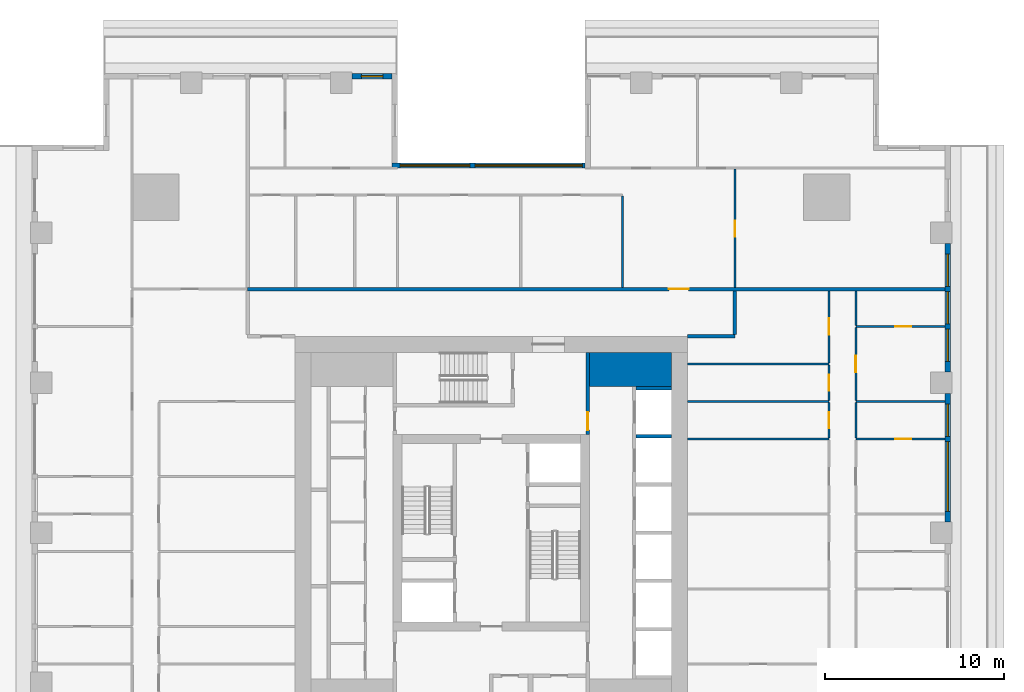
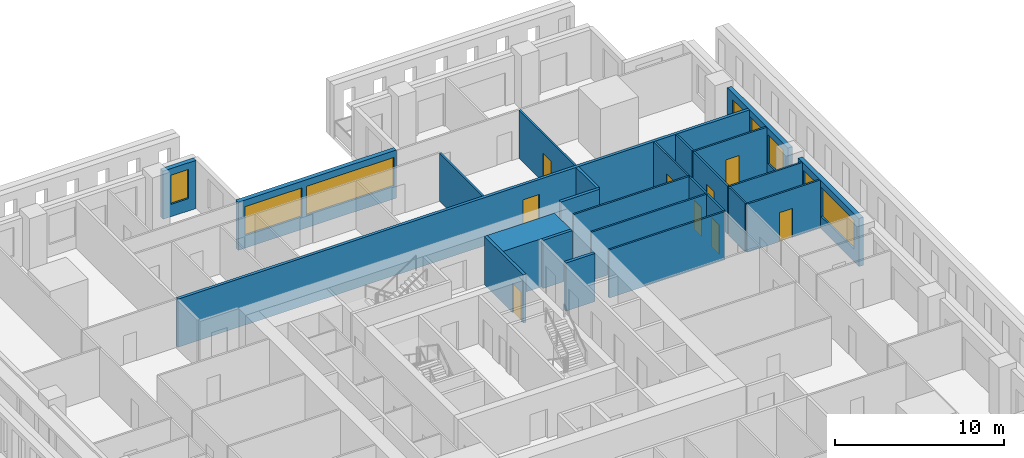
# One storey, part 8 of 15: 25 walls, 9 doors, 8 windows, 17 openings.
"""IFC4 building model written with IfcOpenShell, lengths in metres."""

import ifcopenshell
import ifcopenshell.guid

model = None  # the IFC model being written
_history = None  # IfcOwnerHistory: only IFC2X3 demands one
_inside = {}  # id of a spatial element -> (the spatial element, [elements in it])
_under = {}  # id of a project, library or spatial element -> (it, [spatial elements below it])
_declared = {}  # id of a project -> (the project, [libraries it declares])
_typed = {}  # id of a type object -> (the type object, [elements of that type])
_made_of = {}  # id of a material, layer set ... -> (it, [elements and type objects made of it])


def new_model(schema):
    """Start an empty IFC model of exactly this schema.

    Asked for "IFC4X3", IfcOpenShell would pick the latest addendum, in which some entities
    have other attributes; the version numbers below select the first issue.
    IFC2X3 requires an IfcOwnerHistory on every rooted entity: one is made here for all.
    """
    global model, _history
    if schema == "IFC4X3":
        model = ifcopenshell.file(schema_version=(4, 3, 0, 0))
    else:
        model = ifcopenshell.file(schema=schema)
    _inside.clear()
    _under.clear()
    _declared.clear()
    _typed.clear()
    _made_of.clear()
    _history = None
    if model.schema == "IFC2X3":
        org = make("IfcOrganization", Name="unknown")
        user = make(
            "IfcPersonAndOrganization",
            ThePerson=make("IfcPerson", FamilyName="unknown"),
            TheOrganization=org,
        )
        app = make(
            "IfcApplication",
            ApplicationDeveloper=org,
            Version="unknown",
            ApplicationFullName="unknown",
            ApplicationIdentifier="unknown",
        )
        _history = make(
            "IfcOwnerHistory",
            OwningUser=user,
            OwningApplication=app,
            ChangeAction="ADDED",
            CreationDate=0,
        )
    return model


def make(cls, **values):
    """One entity of the class cls with the attributes given. An attribute that is None is left unset."""
    return model.create_entity(
        cls, **{name: value for name, value in values.items() if value is not None}
    )


def rooted(cls, **values):
    """An entity with a GlobalId (a new one), such as an element, a storey or a relation."""
    return make(cls, GlobalId=ifcopenshell.guid.new(), OwnerHistory=_history, **values)


def si_unit(unit_type, name, prefix=None):
    """IfcSIUnit, for example si_unit("LENGTHUNIT", "METRE", prefix="MILLI")."""
    return make("IfcSIUnit", UnitType=unit_type, Prefix=prefix, Name=name)


def assignment(units):
    """IfcUnitAssignment: the units of a project."""
    return None if units is None else make("IfcUnitAssignment", Units=units)


def point(xyz):
    """IfcCartesianPoint."""
    return None if xyz is None else make("IfcCartesianPoint", Coordinates=xyz)


def direction(xyz):
    """IfcDirection."""
    return None if xyz is None else make("IfcDirection", DirectionRatios=xyz)


def frame(location, z_axis=None, x_axis=None):
    """IfcAxis2Placement3D, a coordinate frame: its origin and axes. An axis left out is left unset."""
    return make(
        "IfcAxis2Placement3D",
        Location=point(location),
        Axis=direction(z_axis),
        RefDirection=direction(x_axis),
    )


def frame_2d(location, x_axis=None):
    """IfcAxis2Placement2D, a coordinate frame in the plane: its origin and x axis."""
    return make(
        "IfcAxis2Placement2D", Location=point(location), RefDirection=direction(x_axis)
    )


def origin():
    """The frame at (0, 0, 0) with its axes left unset."""
    return frame((0.0, 0.0, 0.0))


def place(relative_to, where):
    """IfcLocalPlacement: puts the frame where relative to a parent placement (None: the world)."""
    return make(
        "IfcLocalPlacement", PlacementRelTo=relative_to, RelativePlacement=where
    )


def context(
    kind, dimensions, precision=None, world=None, true_north=None, identifier=None
):
    """IfcGeometricRepresentationContext, for example the 3D "Model" context."""
    return make(
        "IfcGeometricRepresentationContext",
        ContextIdentifier=identifier,
        ContextType=kind,
        CoordinateSpaceDimension=dimensions,
        Precision=precision,
        WorldCoordinateSystem=world,
        TrueNorth=true_north,
    )


def subcontext(parent, identifier, kind, view, scale=None):
    """IfcGeometricRepresentationSubContext, for example "Body" below "Model"."""
    return make(
        "IfcGeometricRepresentationSubContext",
        ContextIdentifier=identifier,
        ContextType=kind,
        ParentContext=parent,
        TargetScale=scale,
        TargetView=view,
    )


def project(units=None, contexts=None):
    """IfcProject with its units and contexts."""
    return rooted(
        "IfcProject",
        Name="project",
        RepresentationContexts=contexts,
        UnitsInContext=assignment(units),
    )


def spatial(cls, under=None, at=None, **own):
    """A site, building, storey or space (cls), placed at a placement, below another one or the project."""
    s = rooted(cls, ObjectPlacement=at, **own)
    if under is not None:
        _under.setdefault(under.id(), (under, []))[1].append(s)
    return s


def profile(cls, at=None, kind="AREA", **sizes):
    """A parametric profile (cls). Its sizes go by their IFC names, for example OverallWidth=200.0."""
    return make(cls, ProfileType=kind, Position=at, **sizes)


def rectangle(**sizes):
    """IfcRectangleProfileDef."""
    return profile("IfcRectangleProfileDef", **sizes)


def extrude(swept, where, along, depth):
    """IfcExtrudedAreaSolid: the profile swept, set in the frame where, extruded along a direction by depth."""
    return make(
        "IfcExtrudedAreaSolid",
        SweptArea=swept,
        Position=where,
        ExtrudedDirection=direction(along),
        Depth=depth,
    )


def shape(context_of_items, identifier, shape_type, items):
    """IfcShapeRepresentation: the items that make up one representation, for example the "Body"."""
    return make(
        "IfcShapeRepresentation",
        ContextOfItems=context_of_items,
        RepresentationIdentifier=identifier,
        RepresentationType=shape_type,
        Items=items,
    )


def material(Name=None, Category=None):
    """IfcMaterial."""
    return make("IfcMaterial", Name=Name, Category=Category)


def layer(
    of_material, thickness, ventilated=None, Name=None, Category=None, Priority=None
):
    """IfcMaterialLayer: one layer of a wall or slab, of a material (None: an air gap)."""
    return make(
        "IfcMaterialLayer",
        Material=of_material,
        LayerThickness=thickness,
        IsVentilated=ventilated,
        Name=Name,
        Category=Category,
        Priority=Priority,
    )


def layer_set(layers, Name=None):
    """IfcMaterialLayerSet."""
    return make("IfcMaterialLayerSet", MaterialLayers=layers, LayerSetName=Name)


def made_of(thing, what):
    """Note that an element or type object is made of a material, layer set ...; save() writes the relation."""
    if what is not None:
        _made_of.setdefault(what.id(), (what, []))[1].append(thing)
    return thing


def type_object(cls, material=None, **own):
    """A type object (cls), such as IfcWallType, which elements share."""
    return made_of(rooted(cls, **own), material)


def element(
    cls,
    number,
    at=None,
    inside=None,
    cuts=None,
    type_object=None,
    material=None,
    context=None,
    identifier="Body",
    shape_type=None,
    held_by="IfcProductDefinitionShape",
    body=None,
    shapes=None,
    **own,
):
    """One element of the class cls, such as IfcWall. Its Tag is "e" and its number.

    at: its placement. inside: the storey or other place that contains it. cuts: it is an
    opening in that element (IfcRelVoidsElement). A single representation is given by context,
    identifier, shape_type and body (its items); several are given by shapes. held_by: the class
    of the entity that holds the representations. save() writes the other relations.
    """
    e = rooted(cls, Tag="e%d" % number, ObjectPlacement=at, **own)
    if body is not None:
        shapes = [shape(context, identifier, shape_type, body)]
    if shapes is not None:
        e.Representation = make(held_by, Representations=shapes)
    if inside is not None:
        _inside.setdefault(inside.id(), (inside, []))[1].append(e)
    if cuts is not None:
        rooted(
            "IfcRelVoidsElement", RelatingBuildingElement=cuts, RelatedOpeningElement=e
        )
    if type_object is not None:
        _typed.setdefault(type_object.id(), (type_object, []))[1].append(e)
    return made_of(e, material)


def fill(opening, filler):
    """IfcRelFillsElement: the door or window that sits in an opening."""
    return rooted(
        "IfcRelFillsElement",
        RelatingOpeningElement=opening,
        RelatedBuildingElement=filler,
    )


def aggregate(whole, parts):
    """IfcRelAggregates: a whole, such as a stair, and the parts it consists of."""
    return rooted("IfcRelAggregates", RelatingObject=whole, RelatedObjects=parts)


def save(model, path):
    """Write the relations noted so far, then the file.

    IfcRelAggregates (storeys below a building ...), IfcRelContainedInSpatialStructure (elements
    in a storey), IfcRelDefinesByType, IfcRelAssociatesMaterial and IfcRelDeclares: one each for
    every whole, place, type object, material and project.
    """
    for whole, parts in _under.values():
        aggregate(whole, parts)
    for where, things in _inside.values():
        rooted(
            "IfcRelContainedInSpatialStructure",
            RelatedElements=things,
            RelatingStructure=where,
        )
    for kind, things in _typed.values():
        rooted("IfcRelDefinesByType", RelatedObjects=things, RelatingType=kind)
    for what, things in _made_of.values():
        rooted("IfcRelAssociatesMaterial", RelatedObjects=things, RelatingMaterial=what)
    for by, libraries in _declared.values():
        rooted("IfcRelDeclares", RelatingContext=by, RelatedDefinitions=libraries)
    model.write(path)


model = new_model("IFC4")

# Units and contexts
model_context = context("Model", 3, precision=1e-05, world=origin(), true_north=direction((0.0, 1.0)))
body_context = subcontext(model_context, "Body", "Model", "MODEL_VIEW")
ifc_project = project(units=[si_unit("LENGTHUNIT", "METRE"), si_unit("AREAUNIT", "SQUARE_METRE"), si_unit("VOLUMEUNIT", "CUBIC_METRE"), si_unit("PLANEANGLEUNIT", "RADIAN"), si_unit("MASSUNIT", "GRAM", prefix="KILO")], contexts=[model_context])

# Site, building, storey
site_placement = place(None, origin())
site = spatial("IfcSite", under=ifc_project, at=site_placement, CompositionType="ELEMENT")
building_placement = place(site_placement, origin())
building = spatial("IfcBuilding", under=site, at=building_placement, Name="Khepri Terraces", CompositionType="ELEMENT")
storey_placement = place(building_placement, frame((0.0, 0.0, 145.5)))
storey = spatial("IfcBuildingStorey", under=building, at=storey_placement, Name="L34", CompositionType="ELEMENT", Elevation=145.5)

# Walls
ifc_material_1 = material(Name="Concrete C60/75", Category="concrete")
ifc_layer_1 = layer(ifc_material_1, 1.89990234375, Name="Concrete C60/75", Category="concrete")
ifc_layer_set_1 = layer_set([ifc_layer_1], Name="Concrete C60/75")
wall_type_1 = type_object("IfcWallType", Name="Core wall 1900 C60/75", PredefinedType="SHEAR", material=ifc_layer_set_1)
wall_1_placement = place(storey_placement, frame((5.5, 9.14990234375, 0.0), z_axis=(0.0, 0.0, 1.0), x_axis=(1.0, 0.0, 0.0)))
element("IfcWall", 1, at=wall_1_placement, inside=storey, type_object=wall_type_1, Name="Core wall PR04 L34", PredefinedType="SHEAR", context=body_context, shape_type="SweptSolid", body=[
    extrude(rectangle(XDim=4.60009765625, YDim=1.89990234375, at=frame_2d((2.300048828125, 0.0))), origin(), (0.0, 0.0, 1.0), 3.47998046875),
])
ifc_layer_2 = layer(ifc_material_1, 0.199951171875, Name="Concrete C60/75", Category="concrete")
ifc_layer_set_2 = layer_set([ifc_layer_2], Name="Concrete C60/75")
wall_type_2 = type_object("IfcWallType", Name="Core wall 200 C60/75", PredefinedType="SHEAR", material=ifc_layer_set_2)
for number, where, z_axis, x_axis, name in (
    (2, (8.10009765625, 5.39990234375, 0.0), (0.0, 0.0, 1.0), (1.0, 0.0, 0.0), "Core wall SH14 L34"),
    (3, (8.10009765625, 8.10009765625, 0.0), (0.0, 0.0, 1.0), (1.0, 0.0, 0.0), "Core wall SH15 L34"),
):
    element("IfcWall", number, at=place(storey_placement, frame(where, z_axis=z_axis, x_axis=x_axis)), inside=storey, type_object=wall_type_2, Name=name, PredefinedType="SHEAR", context=body_context, shape_type="SweptSolid", body=[
        extrude(rectangle(XDim=2.0, YDim=0.199951171875, at=frame_2d((1.0, 0.0))), origin(), (0.0, 0.0, 1.0), 3.47998046875),
    ])

# Wall, opening, door
ifc_material_2 = material(Name="Fire-rated gypsum board partition")
ifc_layer_3 = layer(ifc_material_2, 0.199951171875, Name="Fire-rated gypsum board partition")
ifc_layer_set_3 = layer_set([ifc_layer_3], Name="Fire-rated gypsum board partition")
wall_type_3 = type_object("IfcWallType", Name="WL-CORE-PART-200", PredefinedType="PARTITIONING", material=ifc_layer_set_3)
wall_2_placement = place(storey_placement, frame((5.39990234375, 5.5, 0.0), z_axis=(0.0, 0.0, 1.0), x_axis=(0.0, 1.0, 0.0)))
wall_2 = element("IfcWall", 4, at=wall_2_placement, inside=storey, type_object=wall_type_3, Name="Core partition PT13 L34", PredefinedType="PARTITIONING", context=body_context, shape_type="SweptSolid", body=[
    extrude(rectangle(XDim=4.60009765625, YDim=0.199951171875, at=frame_2d((2.300048828125, 0.0))), origin(), (0.0, 0.0, 1.0), 3.47998046875),
])
opening_1_placement = place(wall_2_placement, frame((0.25, 0.0, 0.0)))
opening_1 = element("IfcOpeningElement", 5, at=opening_1_placement, cuts=wall_2, Name="Opening L34-C17", PredefinedType="OPENING", context=body_context, shape_type="SweptSolid", body=[
    extrude(rectangle(XDim=1.0, YDim=2.10009765625, at=frame_2d((0.5, 1.050048828125))), frame((0.0, 0.10986328125, 0.0), z_axis=(0.0, -1.0, 0.0), x_axis=(1.0, 0.0, 0.0)), (0.0, 0.0, 1.0), 0.219970703125),
])
ifc_material_3 = material(Name="Painted steel", Category="steel")
door_type_1 = type_object("IfcDoorType", Name="DR-CORE-LOBBY-1000", OperationType="NOTDEFINED", PredefinedType="DOOR", material=ifc_material_3)
door_1_placement = place(opening_1_placement, origin())
door_1 = element("IfcDoor", 6, at=door_1_placement, inside=storey, type_object=door_type_1, Name="Lobby door L34-C17", OperationType="SINGLE_SWING_LEFT", OverallHeight=2.10009765625, OverallWidth=1.0, PredefinedType="DOOR", context=body_context, shape_type="SweptSolid", body=[
    extrude(rectangle(XDim=1.0, YDim=2.10009765625, at=frame_2d((0.5, 1.050048828125))), frame((0.0, 0.02490234375, 0.0), z_axis=(0.0, -1.0, 0.0), x_axis=(1.0, 0.0, 0.0)), (0.0, 0.0, 1.0), 0.050048828125),
])
fill(opening_1, door_1)

# Walls
ifc_material_4 = material(Name="Fire-rated gypsum plasterboard partition, mineral wool")
ifc_layer_4 = layer(ifc_material_4, 0.199951171875, Name="Fire-rated gypsum plasterboard partition, mineral wool")
ifc_layer_set_4 = layer_set([ifc_layer_4], Name="Fire-rated gypsum plasterboard partition, mineral wool")
wall_type_4 = type_object("IfcWallType", Name="WL-CORR-200", PredefinedType="PARTITIONING", material=ifc_layer_set_4)
wall_3_placement = place(storey_placement, frame((11.0, 11.0, 0.0), z_axis=(0.0, 0.0, 1.0), x_axis=(1.0, 0.0, 0.0)))
element("IfcWall", 7, at=wall_3_placement, inside=storey, type_object=wall_type_4, Name="Partition P-075 L34", PredefinedType="PARTITIONING", context=body_context, shape_type="SweptSolid", body=[
    extrude(rectangle(XDim=2.64990234375, YDim=0.199951171875, at=frame_2d((1.324951171875, 0.0))), origin(), (0.0, 0.0, 1.0), 3.47998046875),
])
wall_4_placement = place(storey_placement, frame((13.64990234375, 11.10009765625, 0.0), z_axis=(0.0, 0.0, 1.0), x_axis=(0.0, 1.0, 0.0)))
element("IfcWall", 8, at=wall_4_placement, inside=storey, type_object=wall_type_4, Name="Partition P-077 L34", PredefinedType="PARTITIONING", context=body_context, shape_type="SweptSolid", body=[
    extrude(rectangle(XDim=2.449951171875, YDim=0.199951171875, at=frame_2d((1.22509765625, 0.0))), origin(), (0.0, 0.0, 1.0), 3.47998046875),
])

# Wall, opening, door
wall_5_placement = place(storey_placement, frame((-13.64990234375, 13.64990234375, 0.0), z_axis=(0.0, 0.0, 1.0), x_axis=(1.0, 0.0, 0.0)))
wall_5 = element("IfcWall", 9, at=wall_5_placement, inside=storey, type_object=wall_type_4, Name="Partition P-083 L34", PredefinedType="PARTITIONING", context=body_context, shape_type="SweptSolid", body=[
    extrude(rectangle(XDim=39.06982421875, YDim=0.199951171875, at=frame_2d((19.534912109375, 0.0))), origin(), (0.0, 0.0, 1.0), 3.47998046875),
])
opening_2_placement = place(wall_5_placement, frame((23.60009765625, 0.0, 0.0)))
opening_2 = element("IfcOpeningElement", 10, at=opening_2_placement, cuts=wall_5, Name="Opening D1", PredefinedType="OPENING", context=body_context, shape_type="SweptSolid", body=[
    extrude(rectangle(XDim=1.10009765625, YDim=2.39990234375, at=frame_2d((0.550048828125, 1.199951171875))), frame((0.0, 0.10986328125, 0.0), z_axis=(0.0, -1.0, 0.0), x_axis=(1.0, 0.0, 0.0)), (0.0, 0.0, 1.0), 0.219970703125),
])
ifc_material_5 = material(Name="Solid-core timber door leaf, flat entrance door", Category="wood")
door_type_2 = type_object("IfcDoorType", Name="DR-ENT-1100", OperationType="NOTDEFINED", PredefinedType="DOOR", material=ifc_material_5)
door_2_placement = place(opening_2_placement, origin())
door_2 = element("IfcDoor", 11, at=door_2_placement, inside=storey, type_object=door_type_2, Name="Flat C1 entrance door", OperationType="SINGLE_SWING_RIGHT", OverallHeight=2.39990234375, OverallWidth=1.10009765625, PredefinedType="DOOR", context=body_context, shape_type="SweptSolid", body=[
    extrude(rectangle(XDim=1.10009765625, YDim=2.39990234375, at=frame_2d((0.550048828125, 1.199951171875))), frame((0.0, 0.02490234375, 0.0), z_axis=(0.0, -1.0, 0.0), x_axis=(1.0, 0.0, 0.0)), (0.0, 0.0, 1.0), 0.050048828125),
])
fill(opening_2, door_2)

# Wall, openings, windows
ifc_material_6 = material(Name="Precast concrete C50/60 warm stone", Category="masonry")
ifc_layer_5 = layer(ifc_material_6, 0.300048828125, Name="Precast concrete C50/60 warm stone", Category="masonry")
ifc_layer_set_5 = layer_set([ifc_layer_5], Name="Precast concrete C50/60 warm stone")
wall_type_5 = type_object("IfcWallType", Name="WL-EXT-PRECAST-300", PredefinedType="STANDARD", material=ifc_layer_set_5)
wall_6_placement = place(storey_placement, frame((25.570068359375, 0.60009765625, 0.0), z_axis=(0.0, 0.0, 1.0), x_axis=(0.0, 1.0, 0.0)))
wall_6 = element("IfcWall", 12, at=wall_6_placement, inside=storey, type_object=wall_type_5, Name="External wall L34 E", PredefinedType="STANDARD", context=body_context, shape_type="SweptSolid", body=[
    extrude(rectangle(XDim=7.199951171875, YDim=0.300048828125, at=frame_2d((3.60009765625, 0.0))), origin(), (0.0, 0.0, 1.0), 3.47998046875),
])
opening_3_placement = place(wall_6_placement, frame((0.60009765625, 0.0, 0.89990234375)))
opening_3 = element("IfcOpeningElement", 13, at=opening_3_placement, cuts=wall_6, Name="Opening W2", PredefinedType="OPENING", context=body_context, shape_type="SweptSolid", body=[
    extrude(rectangle(XDim=3.89990234375, YDim=2.10009765625, at=frame_2d((1.949951171875, 1.050048828125))), frame((0.0, 0.16015625, 0.0), z_axis=(0.0, -1.0, 0.0), x_axis=(1.0, 0.0, 0.0)), (0.0, 0.0, 1.0), 0.320068359375),
])
opening_4_placement = place(wall_6_placement, frame((4.800048828125, 0.0, 0.89990234375)))
opening_4 = element("IfcOpeningElement", 14, at=opening_4_placement, cuts=wall_6, Name="Opening W1", PredefinedType="OPENING", context=body_context, shape_type="SweptSolid", body=[
    extrude(rectangle(XDim=1.800048828125, YDim=2.10009765625, at=frame_2d((0.89990234375, 1.050048828125))), frame((0.0, 0.16015625, 0.0), z_axis=(0.0, -1.0, 0.0), x_axis=(1.0, 0.0, 0.0)), (0.0, 0.0, 1.0), 0.320068359375),
])
ifc_material_7 = material(Name="Clear glass", Category="glass")
window_type_1 = type_object("IfcWindowType", Name="WIN-RES-1800x2100", PartitioningType="SINGLE_PANEL", PredefinedType="WINDOW", material=ifc_material_7)
window_1_placement = place(opening_4_placement, origin())
window_1 = element("IfcWindow", 15, at=window_1_placement, inside=storey, type_object=window_type_1, Name="Window L34 E", OverallHeight=2.10009765625, OverallWidth=1.800048828125, PartitioningType="SINGLE_PANEL", PredefinedType="WINDOW", context=body_context, shape_type="SweptSolid", body=[
    extrude(rectangle(XDim=1.800048828125, YDim=2.10009765625, at=frame_2d((0.89990234375, 1.050048828125))), frame((0.0, 0.030029296875, 0.0), z_axis=(0.0, -1.0, 0.0), x_axis=(1.0, 0.0, 0.0)), (0.0, 0.0, 1.0), 0.06005859375),
])
fill(opening_4, window_1)
window_type_2 = type_object("IfcWindowType", Name="WIN-RES-3900x2100", PartitioningType="SINGLE_PANEL", PredefinedType="WINDOW", material=ifc_material_7)
window_2_placement = place(opening_3_placement, origin())
window_2 = element("IfcWindow", 16, at=window_2_placement, inside=storey, type_object=window_type_2, Name="Window L34 E", OverallHeight=2.10009765625, OverallWidth=3.89990234375, PartitioningType="SINGLE_PANEL", PredefinedType="WINDOW", context=body_context, shape_type="SweptSolid", body=[
    extrude(rectangle(XDim=3.89990234375, YDim=2.10009765625, at=frame_2d((1.949951171875, 1.050048828125))), frame((0.0, 0.030029296875, 0.0), z_axis=(0.0, -1.0, 0.0), x_axis=(1.0, 0.0, 0.0)), (0.0, 0.0, 1.0), 0.06005859375),
])
fill(opening_3, window_2)

wall_7_placement = place(storey_placement, frame((25.570068359375, 9.0, 0.0), z_axis=(0.0, 0.0, 1.0), x_axis=(0.0, 1.0, 0.0)))
wall_7 = element("IfcWall", 17, at=wall_7_placement, inside=storey, type_object=wall_type_5, Name="External wall L34 E", PredefinedType="STANDARD", context=body_context, shape_type="SweptSolid", body=[
    extrude(rectangle(XDim=7.199951171875, YDim=0.300048828125, at=frame_2d((3.60009765625, 0.0))), origin(), (0.0, 0.0, 1.0), 3.47998046875),
])
opening_5_placement = place(wall_7_placement, frame((0.60009765625, 0.0, 0.89990234375)))
opening_5 = element("IfcOpeningElement", 18, at=opening_5_placement, cuts=wall_7, Name="Opening W1", PredefinedType="OPENING", context=body_context, shape_type="SweptSolid", body=[
    extrude(rectangle(XDim=1.800048828125, YDim=2.10009765625, at=frame_2d((0.89990234375, 1.050048828125))), frame((0.0, 0.16015625, 0.0), z_axis=(0.0, -1.0, 0.0), x_axis=(1.0, 0.0, 0.0)), (0.0, 0.0, 1.0), 0.320068359375),
])
opening_6_placement = place(wall_7_placement, frame((2.699951171875, 0.0, 0.89990234375)))
opening_6 = element("IfcOpeningElement", 19, at=opening_6_placement, cuts=wall_7, Name="Opening W1", PredefinedType="OPENING", context=body_context, shape_type="SweptSolid", body=[
    extrude(rectangle(XDim=1.800048828125, YDim=2.10009765625, at=frame_2d((0.89990234375, 1.050048828125))), frame((0.0, 0.16015625, 0.0), z_axis=(0.0, -1.0, 0.0), x_axis=(1.0, 0.0, 0.0)), (0.0, 0.0, 1.0), 0.320068359375),
])
opening_7_placement = place(wall_7_placement, frame((4.800048828125, 0.0, 0.89990234375)))
opening_7 = element("IfcOpeningElement", 20, at=opening_7_placement, cuts=wall_7, Name="Opening W1", PredefinedType="OPENING", context=body_context, shape_type="SweptSolid", body=[
    extrude(rectangle(XDim=1.800048828125, YDim=2.10009765625, at=frame_2d((0.89990234375, 1.050048828125))), frame((0.0, 0.16015625, 0.0), z_axis=(0.0, -1.0, 0.0), x_axis=(1.0, 0.0, 0.0)), (0.0, 0.0, 1.0), 0.320068359375),
])
window_3_placement = place(opening_5_placement, origin())
window_3 = element("IfcWindow", 21, at=window_3_placement, inside=storey, type_object=window_type_1, Name="Window L34 E", OverallHeight=2.10009765625, OverallWidth=1.800048828125, PartitioningType="SINGLE_PANEL", PredefinedType="WINDOW", context=body_context, shape_type="SweptSolid", body=[
    extrude(rectangle(XDim=1.800048828125, YDim=2.10009765625, at=frame_2d((0.89990234375, 1.050048828125))), frame((0.0, 0.030029296875, 0.0), z_axis=(0.0, -1.0, 0.0), x_axis=(1.0, 0.0, 0.0)), (0.0, 0.0, 1.0), 0.06005859375),
])
fill(opening_5, window_3)
window_4_placement = place(opening_6_placement, origin())
window_4 = element("IfcWindow", 22, at=window_4_placement, inside=storey, type_object=window_type_1, Name="Window L34 E", OverallHeight=2.10009765625, OverallWidth=1.800048828125, PartitioningType="SINGLE_PANEL", PredefinedType="WINDOW", context=body_context, shape_type="SweptSolid", body=[
    extrude(rectangle(XDim=1.800048828125, YDim=2.10009765625, at=frame_2d((0.89990234375, 1.050048828125))), frame((0.0, 0.030029296875, 0.0), z_axis=(0.0, -1.0, 0.0), x_axis=(1.0, 0.0, 0.0)), (0.0, 0.0, 1.0), 0.06005859375),
])
fill(opening_6, window_4)
window_5_placement = place(opening_7_placement, origin())
window_5 = element("IfcWindow", 23, at=window_5_placement, inside=storey, type_object=window_type_1, Name="Window L34 E", OverallHeight=2.10009765625, OverallWidth=1.800048828125, PartitioningType="SINGLE_PANEL", PredefinedType="WINDOW", context=body_context, shape_type="SweptSolid", body=[
    extrude(rectangle(XDim=1.800048828125, YDim=2.10009765625, at=frame_2d((0.89990234375, 1.050048828125))), frame((0.0, 0.030029296875, 0.0), z_axis=(0.0, -1.0, 0.0), x_axis=(1.0, 0.0, 0.0)), (0.0, 0.0, 1.0), 0.06005859375),
])
fill(opening_7, window_5)

wall_8_placement = place(storey_placement, frame((5.25, 20.570068359375, 0.0), z_axis=(0.0, 0.0, 1.0), x_axis=(-1.0, 0.0, 0.0)))
wall_8 = element("IfcWall", 24, at=wall_8_placement, inside=storey, type_object=wall_type_5, Name="External wall L34 N", PredefinedType="STANDARD", context=body_context, shape_type="SweptSolid", body=[
    extrude(rectangle(XDim=10.800048828125, YDim=0.300048828125, at=frame_2d((5.39990234375, 0.0))), origin(), (0.0, 0.0, 1.0), 3.47998046875),
])
opening_8_placement = place(wall_8_placement, frame((0.14990234375, 0.0, 0.89990234375)))
opening_8 = element("IfcOpeningElement", 25, at=opening_8_placement, cuts=wall_8, Name="Opening W3", PredefinedType="OPENING", context=body_context, shape_type="SweptSolid", body=[
    extrude(rectangle(XDim=6.0, YDim=2.10009765625, at=frame_2d((3.0, 1.050048828125))), frame((0.0, 0.16015625, 0.0), z_axis=(0.0, -1.0, 0.0), x_axis=(1.0, 0.0, 0.0)), (0.0, 0.0, 1.0), 0.320068359375),
])
opening_9_placement = place(wall_8_placement, frame((6.449951171875, 0.0, 0.89990234375)))
opening_9 = element("IfcOpeningElement", 26, at=opening_9_placement, cuts=wall_8, Name="Opening W2", PredefinedType="OPENING", context=body_context, shape_type="SweptSolid", body=[
    extrude(rectangle(XDim=3.89990234375, YDim=2.10009765625, at=frame_2d((1.949951171875, 1.050048828125))), frame((0.0, 0.16015625, 0.0), z_axis=(0.0, -1.0, 0.0), x_axis=(1.0, 0.0, 0.0)), (0.0, 0.0, 1.0), 0.320068359375),
])
window_6_placement = place(opening_9_placement, origin())
window_6 = element("IfcWindow", 27, at=window_6_placement, inside=storey, type_object=window_type_2, Name="Window L34 N", OverallHeight=2.10009765625, OverallWidth=3.89990234375, PartitioningType="SINGLE_PANEL", PredefinedType="WINDOW", context=body_context, shape_type="SweptSolid", body=[
    extrude(rectangle(XDim=3.89990234375, YDim=2.10009765625, at=frame_2d((1.949951171875, 1.050048828125))), frame((0.0, 0.030029296875, 0.0), z_axis=(0.0, -1.0, 0.0), x_axis=(1.0, 0.0, 0.0)), (0.0, 0.0, 1.0), 0.06005859375),
])
fill(opening_9, window_6)
window_type_3 = type_object("IfcWindowType", Name="WIN-RES-6000x2100", PartitioningType="SINGLE_PANEL", PredefinedType="WINDOW", material=ifc_material_7)
window_7_placement = place(opening_8_placement, origin())
window_7 = element("IfcWindow", 28, at=window_7_placement, inside=storey, type_object=window_type_3, Name="Window L34 N", OverallHeight=2.10009765625, OverallWidth=6.0, PartitioningType="SINGLE_PANEL", PredefinedType="WINDOW", context=body_context, shape_type="SweptSolid", body=[
    extrude(rectangle(XDim=6.0, YDim=2.10009765625, at=frame_2d((3.0, 1.050048828125))), frame((0.0, 0.030029296875, 0.0), z_axis=(0.0, -1.0, 0.0), x_axis=(1.0, 0.0, 0.0)), (0.0, 0.0, 1.0), 0.06005859375),
])
fill(opening_8, window_7)

# Wall, opening, window
wall_9_placement = place(storey_placement, frame((-5.550048828125, 25.570068359375, 0.0), z_axis=(0.0, 0.0, 1.0), x_axis=(-1.0, 0.0, 0.0)))
wall_9 = element("IfcWall", 29, at=wall_9_placement, inside=storey, type_object=wall_type_5, Name="External wall L34 N", PredefinedType="STANDARD", context=body_context, shape_type="SweptSolid", body=[
    extrude(rectangle(XDim=2.25, YDim=0.300048828125, at=frame_2d((1.125, 0.0))), origin(), (0.0, 0.0, 1.0), 3.47998046875),
])
opening_10_placement = place(wall_9_placement, frame((0.52490234375, 0.0, 0.89990234375)))
opening_10 = element("IfcOpeningElement", 30, at=opening_10_placement, cuts=wall_9, Name="Opening W4", PredefinedType="OPENING", context=body_context, shape_type="SweptSolid", body=[
    extrude(rectangle(XDim=1.199951171875, YDim=2.10009765625, at=frame_2d((0.60009765625, 1.050048828125))), frame((0.0, 0.16015625, 0.0), z_axis=(0.0, -1.0, 0.0), x_axis=(1.0, 0.0, 0.0)), (0.0, 0.0, 1.0), 0.320068359375),
])
window_type_4 = type_object("IfcWindowType", Name="WIN-RES-1200x2100", PartitioningType="SINGLE_PANEL", PredefinedType="WINDOW", material=ifc_material_7)
window_8_placement = place(opening_10_placement, origin())
window_8 = element("IfcWindow", 31, at=window_8_placement, inside=storey, type_object=window_type_4, Name="Window L34 N", OverallHeight=2.10009765625, OverallWidth=1.199951171875, PartitioningType="SINGLE_PANEL", PredefinedType="WINDOW", context=body_context, shape_type="SweptSolid", body=[
    extrude(rectangle(XDim=1.199951171875, YDim=2.10009765625, at=frame_2d((0.60009765625, 1.050048828125))), frame((0.0, 0.030029296875, 0.0), z_axis=(0.0, -1.0, 0.0), x_axis=(1.0, 0.0, 0.0)), (0.0, 0.0, 1.0), 0.06005859375),
])
fill(opening_10, window_8)

# Wall
ifc_material_8 = material(Name="Gypsum plasterboard partition")
ifc_layer_6 = layer(ifc_material_8, 0.1201171875, Name="Gypsum plasterboard partition")
ifc_layer_set_6 = layer_set([ifc_layer_6], Name="Gypsum plasterboard partition")
wall_type_6 = type_object("IfcWallType", Name="WL-PART-120", PredefinedType="PARTITIONING", material=ifc_layer_set_6)
wall_10_placement = place(storey_placement, frame((11.0, 5.25, 0.0), z_axis=(0.0, 0.0, 1.0), x_axis=(1.0, 0.0, 0.0)))
element("IfcWall", 32, at=wall_10_placement, inside=storey, type_object=wall_type_6, Name="Partition P-063 L34", PredefinedType="PARTITIONING", context=body_context, shape_type="SweptSolid", body=[
    extrude(rectangle(XDim=7.919921875, YDim=0.1201171875, at=frame_2d((3.9599609375, 0.0))), origin(), (0.0, 0.0, 1.0), 3.47998046875),
])

# Wall, opening, door
wall_11_placement = place(storey_placement, frame((20.419921875, 5.25, 0.0), z_axis=(0.0, 0.0, 1.0), x_axis=(1.0, 0.0, 0.0)))
wall_11 = element("IfcWall", 33, at=wall_11_placement, inside=storey, type_object=wall_type_6, Name="Partition P-064 L34", PredefinedType="PARTITIONING", context=body_context, shape_type="SweptSolid", body=[
    extrude(rectangle(XDim=5.0, YDim=0.1201171875, at=frame_2d((2.5, 0.0))), origin(), (0.0, 0.0, 1.0), 3.47998046875),
])
opening_11_placement = place(wall_11_placement, frame((2.199951171875, 0.0, 0.0)))
opening_11 = element("IfcOpeningElement", 34, at=opening_11_placement, cuts=wall_11, Name="Opening D4", PredefinedType="OPENING", context=body_context, shape_type="SweptSolid", body=[
    extrude(rectangle(XDim=0.89990234375, YDim=2.10009765625, at=frame_2d((0.449951171875, 1.050048828125))), frame((0.0, 0.070068359375, 0.0), z_axis=(0.0, -1.0, 0.0), x_axis=(1.0, 0.0, 0.0)), (0.0, 0.0, 1.0), 0.14013671875),
])
ifc_material_9 = material(Name="Timber door leaf, moisture resistant", Category="wood")
door_type_3 = type_object("IfcDoorType", Name="DR-WET-900", OperationType="NOTDEFINED", PredefinedType="DOOR", material=ifc_material_9)
door_3_placement = place(opening_11_placement, origin())
door_3 = element("IfcDoor", 35, at=door_3_placement, inside=storey, type_object=door_type_3, Name="Door Bathroom", OperationType="SINGLE_SWING_RIGHT", OverallHeight=2.10009765625, OverallWidth=0.89990234375, PredefinedType="DOOR", context=body_context, shape_type="SweptSolid", body=[
    extrude(rectangle(XDim=0.89990234375, YDim=2.10009765625, at=frame_2d((0.449951171875, 1.050048828125))), frame((0.0, 0.02490234375, 0.0), z_axis=(0.0, -1.0, 0.0), x_axis=(1.0, 0.0, 0.0)), (0.0, 0.0, 1.0), 0.050048828125),
])
fill(opening_11, door_3)

wall_12_placement = place(storey_placement, frame((18.919921875, 5.31005859375, 0.0), z_axis=(0.0, 0.0, 1.0), x_axis=(0.0, 1.0, 0.0)))
wall_12 = element("IfcWall", 36, at=wall_12_placement, inside=storey, type_object=wall_type_6, Name="Partition P-065 L34", PredefinedType="PARTITIONING", context=body_context, shape_type="SweptSolid", body=[
    extrude(rectangle(XDim=1.97998046875, YDim=0.1201171875, at=frame_2d((0.989990234375, 0.0))), origin(), (0.0, 0.0, 1.0), 3.47998046875),
])
opening_12_placement = place(wall_12_placement, frame((0.5400390625, 0.0, 0.0)))
opening_12 = element("IfcOpeningElement", 37, at=opening_12_placement, cuts=wall_12, Name="Opening D4", PredefinedType="OPENING", context=body_context, shape_type="SweptSolid", body=[
    extrude(rectangle(XDim=0.89990234375, YDim=2.10009765625, at=frame_2d((0.449951171875, 1.050048828125))), frame((0.0, 0.070068359375, 0.0), z_axis=(0.0, -1.0, 0.0), x_axis=(1.0, 0.0, 0.0)), (0.0, 0.0, 1.0), 0.14013671875),
])
door_4_placement = place(opening_12_placement, origin())
door_4 = element("IfcDoor", 38, at=door_4_placement, inside=storey, type_object=door_type_3, Name="Door Powder Room", OperationType="SINGLE_SWING_RIGHT", OverallHeight=2.10009765625, OverallWidth=0.89990234375, PredefinedType="DOOR", context=body_context, shape_type="SweptSolid", body=[
    extrude(rectangle(XDim=0.89990234375, YDim=2.10009765625, at=frame_2d((0.449951171875, 1.050048828125))), frame((0.0, 0.02490234375, 0.0), z_axis=(0.0, -1.0, 0.0), x_axis=(1.0, 0.0, 0.0)), (0.0, 0.0, 1.0), 0.050048828125),
])
fill(opening_12, door_4)

# Walls
wall_13_placement = place(storey_placement, frame((20.419921875, 5.31005859375, 0.0), z_axis=(0.0, 0.0, 1.0), x_axis=(0.0, 1.0, 0.0)))
element("IfcWall", 39, at=wall_13_placement, inside=storey, type_object=wall_type_6, Name="Partition P-066 L34", PredefinedType="PARTITIONING", context=body_context, shape_type="SweptSolid", body=[
    extrude(rectangle(XDim=1.97998046875, YDim=0.1201171875, at=frame_2d((0.989990234375, 0.0))), origin(), (0.0, 0.0, 1.0), 3.47998046875),
])
wall_14_placement = place(storey_placement, frame((11.0, 7.35009765625, 0.0), z_axis=(0.0, 0.0, 1.0), x_axis=(1.0, 0.0, 0.0)))
element("IfcWall", 40, at=wall_14_placement, inside=storey, type_object=wall_type_6, Name="Partition P-068 L34", PredefinedType="PARTITIONING", context=body_context, shape_type="SweptSolid", body=[
    extrude(rectangle(XDim=7.919921875, YDim=0.1201171875, at=frame_2d((3.9599609375, 0.0))), origin(), (0.0, 0.0, 1.0), 3.47998046875),
])
wall_15_placement = place(storey_placement, frame((20.419921875, 7.35009765625, 0.0), z_axis=(0.0, 0.0, 1.0), x_axis=(1.0, 0.0, 0.0)))
element("IfcWall", 41, at=wall_15_placement, inside=storey, type_object=wall_type_6, Name="Partition P-069 L34", PredefinedType="PARTITIONING", context=body_context, shape_type="SweptSolid", body=[
    extrude(rectangle(XDim=5.0, YDim=0.1201171875, at=frame_2d((2.5, 0.0))), origin(), (0.0, 0.0, 1.0), 3.47998046875),
])

# Wall, opening, door
wall_16_placement = place(storey_placement, frame((18.919921875, 7.409912109375, 0.0), z_axis=(0.0, 0.0, 1.0), x_axis=(0.0, 1.0, 0.0)))
wall_16 = element("IfcWall", 42, at=wall_16_placement, inside=storey, type_object=wall_type_6, Name="Partition P-070 L34", PredefinedType="PARTITIONING", context=body_context, shape_type="SweptSolid", body=[
    extrude(rectangle(XDim=1.97998046875, YDim=0.1201171875, at=frame_2d((0.989990234375, 0.0))), origin(), (0.0, 0.0, 1.0), 3.47998046875),
])
opening_13_placement = place(wall_16_placement, frame((0.5400390625, 0.0, 0.0)))
opening_13 = element("IfcOpeningElement", 43, at=opening_13_placement, cuts=wall_16, Name="Opening D4", PredefinedType="OPENING", context=body_context, shape_type="SweptSolid", body=[
    extrude(rectangle(XDim=0.89990234375, YDim=2.10009765625, at=frame_2d((0.449951171875, 1.050048828125))), frame((0.0, 0.070068359375, 0.0), z_axis=(0.0, -1.0, 0.0), x_axis=(1.0, 0.0, 0.0)), (0.0, 0.0, 1.0), 0.14013671875),
])
door_5_placement = place(opening_13_placement, origin())
door_5 = element("IfcDoor", 44, at=door_5_placement, inside=storey, type_object=door_type_3, Name="Door Guest Bathroom", OperationType="SINGLE_SWING_LEFT", OverallHeight=2.10009765625, OverallWidth=0.89990234375, PredefinedType="DOOR", context=body_context, shape_type="SweptSolid", body=[
    extrude(rectangle(XDim=0.89990234375, YDim=2.10009765625, at=frame_2d((0.449951171875, 1.050048828125))), frame((0.0, 0.02490234375, 0.0), z_axis=(0.0, -1.0, 0.0), x_axis=(1.0, 0.0, 0.0)), (0.0, 0.0, 1.0), 0.050048828125),
])
fill(opening_13, door_5)

wall_17_placement = place(storey_placement, frame((20.419921875, 7.409912109375, 0.0), z_axis=(0.0, 0.0, 1.0), x_axis=(0.0, 1.0, 0.0)))
wall_17 = element("IfcWall", 45, at=wall_17_placement, inside=storey, type_object=wall_type_6, Name="Partition P-071 L34", PredefinedType="PARTITIONING", context=body_context, shape_type="SweptSolid", body=[
    extrude(rectangle(XDim=4.080078125, YDim=0.1201171875, at=frame_2d((2.0400390625, 0.0))), origin(), (0.0, 0.0, 1.0), 3.47998046875),
])
opening_14_placement = place(wall_17_placement, frame((1.590087890625, 0.0, 0.0)))
opening_14 = element("IfcOpeningElement", 46, at=opening_14_placement, cuts=wall_17, Name="Opening D3", PredefinedType="OPENING", context=body_context, shape_type="SweptSolid", body=[
    extrude(rectangle(XDim=0.89990234375, YDim=2.10009765625, at=frame_2d((0.449951171875, 1.050048828125))), frame((0.0, 0.070068359375, 0.0), z_axis=(0.0, -1.0, 0.0), x_axis=(1.0, 0.0, 0.0)), (0.0, 0.0, 1.0), 0.14013671875),
])
ifc_material_10 = material(Name="Timber door leaf", Category="wood")
door_type_4 = type_object("IfcDoorType", Name="DR-INT-900", OperationType="NOTDEFINED", PredefinedType="DOOR", material=ifc_material_10)
door_6_placement = place(opening_14_placement, frame((0.89990234375, 0.0, 0.0), z_axis=(0.0, 0.0, 1.0), x_axis=(-1.0, 0.0, 0.0)))
door_6 = element("IfcDoor", 47, at=door_6_placement, inside=storey, type_object=door_type_4, Name="Door Bedroom", OperationType="SINGLE_SWING_RIGHT", OverallHeight=2.10009765625, OverallWidth=0.89990234375, PredefinedType="DOOR", context=body_context, shape_type="SweptSolid", body=[
    extrude(rectangle(XDim=0.89990234375, YDim=2.10009765625, at=frame_2d((0.449951171875, 1.050048828125))), frame((0.0, 0.02490234375, 0.0), z_axis=(0.0, -1.0, 0.0), x_axis=(1.0, 0.0, 0.0)), (0.0, 0.0, 1.0), 0.050048828125),
])
fill(opening_14, door_6)

# Wall
wall_18_placement = place(storey_placement, frame((11.0, 9.449951171875, 0.0), z_axis=(0.0, 0.0, 1.0), x_axis=(1.0, 0.0, 0.0)))
element("IfcWall", 48, at=wall_18_placement, inside=storey, type_object=wall_type_6, Name="Partition P-072 L34", PredefinedType="PARTITIONING", context=body_context, shape_type="SweptSolid", body=[
    extrude(rectangle(XDim=7.919921875, YDim=0.1201171875, at=frame_2d((3.9599609375, 0.0))), origin(), (0.0, 0.0, 1.0), 3.47998046875),
])

# Wall, opening, door
wall_19_placement = place(storey_placement, frame((18.919921875, 9.510009765625, 0.0), z_axis=(0.0, 0.0, 1.0), x_axis=(0.0, 1.0, 0.0)))
wall_19 = element("IfcWall", 49, at=wall_19_placement, inside=storey, type_object=wall_type_6, Name="Partition P-073 L34", PredefinedType="PARTITIONING", context=body_context, shape_type="SweptSolid", body=[
    extrude(rectangle(XDim=4.0400390625, YDim=0.1201171875, at=frame_2d((2.02001953125, 0.0))), origin(), (0.0, 0.0, 1.0), 3.47998046875),
])
opening_15_placement = place(wall_19_placement, frame((1.590087890625, 0.0, 0.0)))
opening_15 = element("IfcOpeningElement", 50, at=opening_15_placement, cuts=wall_19, Name="Opening D3", PredefinedType="OPENING", context=body_context, shape_type="SweptSolid", body=[
    extrude(rectangle(XDim=0.89990234375, YDim=2.10009765625, at=frame_2d((0.449951171875, 1.050048828125))), frame((0.0, 0.070068359375, 0.0), z_axis=(0.0, -1.0, 0.0), x_axis=(1.0, 0.0, 0.0)), (0.0, 0.0, 1.0), 0.14013671875),
])
door_7_placement = place(opening_15_placement, origin())
door_7 = element("IfcDoor", 51, at=door_7_placement, inside=storey, type_object=door_type_4, Name="Door Library", OperationType="SINGLE_SWING_RIGHT", OverallHeight=2.10009765625, OverallWidth=0.89990234375, PredefinedType="DOOR", context=body_context, shape_type="SweptSolid", body=[
    extrude(rectangle(XDim=0.89990234375, YDim=2.10009765625, at=frame_2d((0.449951171875, 1.050048828125))), frame((0.0, 0.02490234375, 0.0), z_axis=(0.0, -1.0, 0.0), x_axis=(1.0, 0.0, 0.0)), (0.0, 0.0, 1.0), 0.050048828125),
])
fill(opening_15, door_7)

wall_20_placement = place(storey_placement, frame((20.419921875, 11.550048828125, 0.0), z_axis=(0.0, 0.0, 1.0), x_axis=(1.0, 0.0, 0.0)))
wall_20 = element("IfcWall", 52, at=wall_20_placement, inside=storey, type_object=wall_type_6, Name="Partition P-079 L34", PredefinedType="PARTITIONING", context=body_context, shape_type="SweptSolid", body=[
    extrude(rectangle(XDim=5.0, YDim=0.1201171875, at=frame_2d((2.5, 0.0))), origin(), (0.0, 0.0, 1.0), 3.47998046875),
])
opening_16_placement = place(wall_20_placement, frame((2.199951171875, 0.0, 0.0)))
opening_16 = element("IfcOpeningElement", 53, at=opening_16_placement, cuts=wall_20, Name="Opening D4", PredefinedType="OPENING", context=body_context, shape_type="SweptSolid", body=[
    extrude(rectangle(XDim=0.89990234375, YDim=2.10009765625, at=frame_2d((0.449951171875, 1.050048828125))), frame((0.0, 0.070068359375, 0.0), z_axis=(0.0, -1.0, 0.0), x_axis=(1.0, 0.0, 0.0)), (0.0, 0.0, 1.0), 0.14013671875),
])
door_8_placement = place(opening_16_placement, origin())
door_8 = element("IfcDoor", 54, at=door_8_placement, inside=storey, type_object=door_type_3, Name="Door Bathroom", OperationType="SINGLE_SWING_RIGHT", OverallHeight=2.10009765625, OverallWidth=0.89990234375, PredefinedType="DOOR", context=body_context, shape_type="SweptSolid", body=[
    extrude(rectangle(XDim=0.89990234375, YDim=2.10009765625, at=frame_2d((0.449951171875, 1.050048828125))), frame((0.0, 0.02490234375, 0.0), z_axis=(0.0, -1.0, 0.0), x_axis=(1.0, 0.0, 0.0)), (0.0, 0.0, 1.0), 0.050048828125),
])
fill(opening_16, door_8)

# Walls
wall_21_placement = place(storey_placement, frame((20.419921875, 11.610107421875, 0.0), z_axis=(0.0, 0.0, 1.0), x_axis=(0.0, 1.0, 0.0)))
element("IfcWall", 55, at=wall_21_placement, inside=storey, type_object=wall_type_6, Name="Partition P-081 L34", PredefinedType="PARTITIONING", context=body_context, shape_type="SweptSolid", body=[
    extrude(rectangle(XDim=1.93994140625, YDim=0.1201171875, at=frame_2d((0.969970703125, 0.0))), origin(), (0.0, 0.0, 1.0), 3.47998046875),
])
wall_22_placement = place(storey_placement, frame((7.35009765625, 13.75, 0.0), z_axis=(0.0, 0.0, 1.0), x_axis=(0.0, 1.0, 0.0)))
element("IfcWall", 56, at=wall_22_placement, inside=storey, type_object=wall_type_6, Name="Partition P-090 L34", PredefinedType="PARTITIONING", context=body_context, shape_type="SweptSolid", body=[
    extrude(rectangle(XDim=5.110107421875, YDim=0.1201171875, at=frame_2d((2.55517578125, 0.0))), origin(), (0.0, 0.0, 1.0), 3.47998046875),
])

# Wall, opening, door
wall_23_placement = place(storey_placement, frame((13.64990234375, 13.75, 0.0), z_axis=(0.0, 0.0, 1.0), x_axis=(0.0, 1.0, 0.0)))
wall_23 = element("IfcWall", 57, at=wall_23_placement, inside=storey, type_object=wall_type_6, Name="Partition P-091 L34", PredefinedType="PARTITIONING", context=body_context, shape_type="SweptSolid", body=[
    extrude(rectangle(XDim=6.610107421875, YDim=0.1201171875, at=frame_2d((3.30517578125, 0.0))), origin(), (0.0, 0.0, 1.0), 3.47998046875),
])
opening_17_placement = place(wall_23_placement, frame((2.8349609375, 0.0, 0.0)))
opening_17 = element("IfcOpeningElement", 58, at=opening_17_placement, cuts=wall_23, Name="Opening D3", PredefinedType="OPENING", context=body_context, shape_type="SweptSolid", body=[
    extrude(rectangle(XDim=0.89990234375, YDim=2.10009765625, at=frame_2d((0.449951171875, 1.050048828125))), frame((0.0, 0.070068359375, 0.0), z_axis=(0.0, -1.0, 0.0), x_axis=(1.0, 0.0, 0.0)), (0.0, 0.0, 1.0), 0.14013671875),
])
door_9_placement = place(opening_17_placement, frame((0.89990234375, 0.0, 0.0), z_axis=(0.0, 0.0, 1.0), x_axis=(-1.0, 0.0, 0.0)))
door_9 = element("IfcDoor", 59, at=door_9_placement, inside=storey, type_object=door_type_4, Name="Door Home Cinema", OperationType="SINGLE_SWING_RIGHT", OverallHeight=2.10009765625, OverallWidth=0.89990234375, PredefinedType="DOOR", context=body_context, shape_type="SweptSolid", body=[
    extrude(rectangle(XDim=0.89990234375, YDim=2.10009765625, at=frame_2d((0.449951171875, 1.050048828125))), frame((0.0, 0.02490234375, 0.0), z_axis=(0.0, -1.0, 0.0), x_axis=(1.0, 0.0, 0.0)), (0.0, 0.0, 1.0), 0.050048828125),
])
fill(opening_17, door_9)

save(model, "model.ifc")
